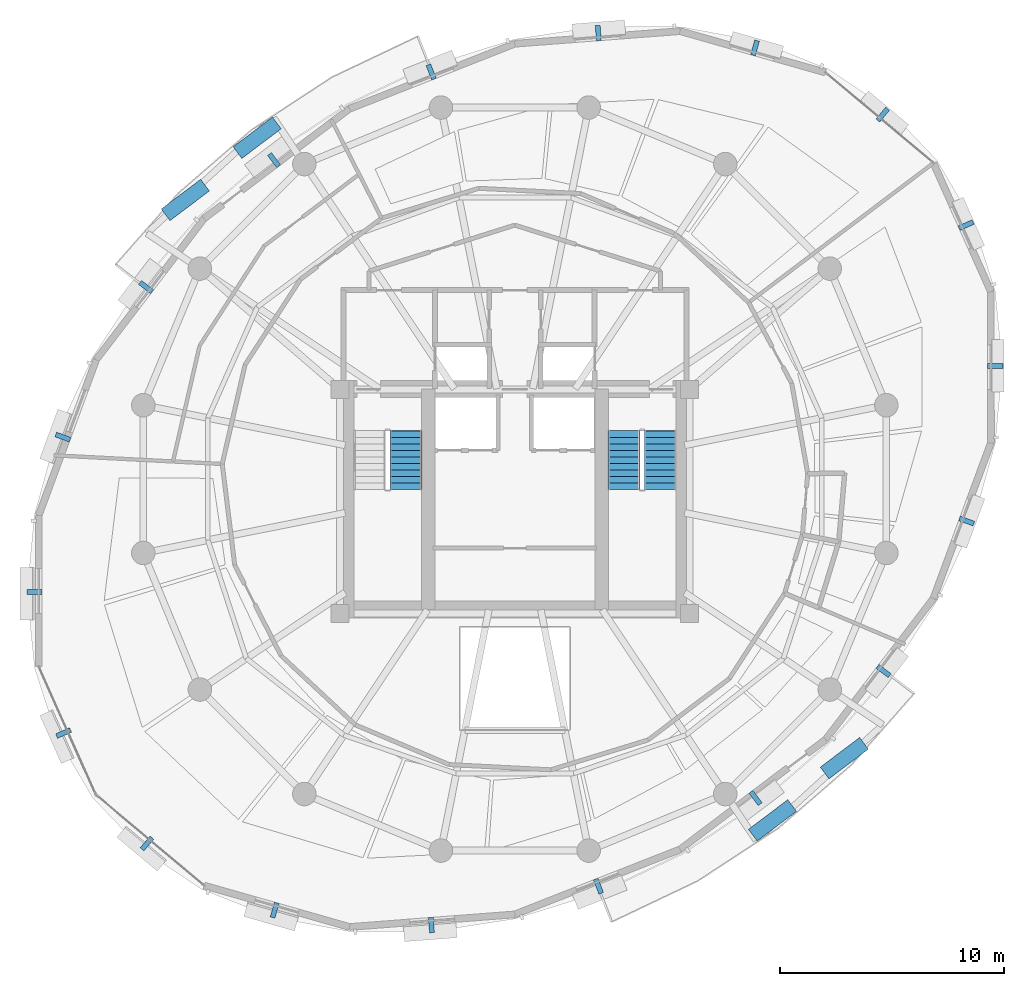
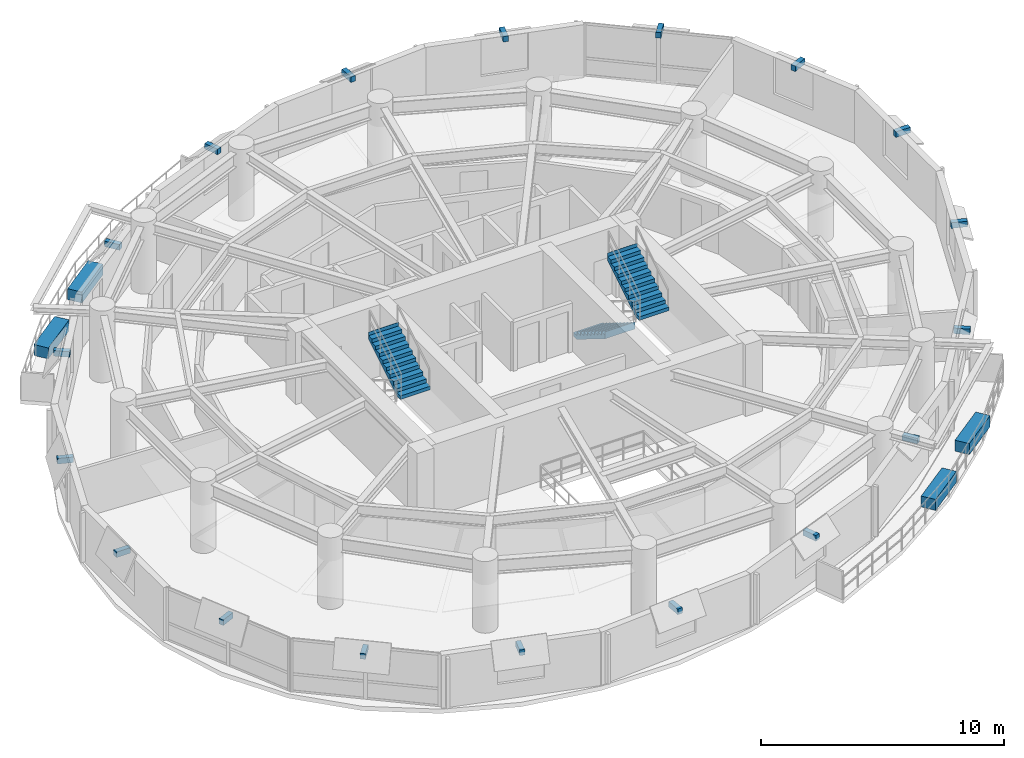
# One storey, part 10 of 12: 22 discrete accessories, 3 stair flights, 2 elements without a shape of their own.
"""IFC4 building model written with IfcOpenShell, lengths in metres."""

from ifc_helpers import new_model, si_unit, direction, frame, origin, origin_2d, place, context, subcontext, project, spatial, polyline, rectangle, outline, extrude, material, type_object, element, aggregate, save


model = new_model("IFC4")

# Units and contexts
model_context = context("Model", 3, precision=1e-05, world=origin(), true_north=direction((0.0, 1.0)))
body_context = subcontext(model_context, "Body", "Model", "MODEL_VIEW")
ifc_project = project(units=[si_unit("LENGTHUNIT", "METRE"), si_unit("AREAUNIT", "SQUARE_METRE"), si_unit("VOLUMEUNIT", "CUBIC_METRE"), si_unit("PLANEANGLEUNIT", "RADIAN"), si_unit("MASSUNIT", "GRAM", prefix="KILO"), si_unit("THERMODYNAMICTEMPERATUREUNIT", "KELVIN"), si_unit("POWERUNIT", "WATT")], contexts=[model_context])

# Site, building, storey
site_placement = place(None, origin())
site = spatial("IfcSite", under=ifc_project, at=site_placement, CompositionType="ELEMENT")
building_placement = place(site_placement, origin())
building = spatial("IfcBuilding", under=site, at=building_placement, Name="Ocrelia Relay Tower", CompositionType="ELEMENT")
storey_placement = place(building_placement, frame((0.0, 0.0, 188.0)))
storey = spatial("IfcBuildingStorey", under=building, at=storey_placement, Name="L45", CompositionType="ELEMENT", Elevation=188.0)

# Stair, stair flight
ifc_material_1 = material(Name="Concrete C50/60", Category="concrete")
stair_type = type_object("IfcStairType", Name="ST-DL-1420-R180", PredefinedType="HALF_TURN_STAIR", material=ifc_material_1)
stair_1_placement = place(storey_placement, origin())
stair_1 = element("IfcStair", 1, at=stair_1_placement, inside=storey, type_object=stair_type, Name="L45 West Core Exit Stair ST1", PredefinedType="HALF_TURN_STAIR")
stair_flight_type = type_object("IfcStairFlightType", Name="STF-DL-1420-R180", PredefinedType="STRAIGHT", material=ifc_material_1)
stair_flight_1_placement = place(storey_placement, frame((29.139892578125, 25.5400390625, 1.800048828125), z_axis=(0.0, 0.0, 1.0), x_axis=(0.0, 1.0, 0.0)))
stair_flight_1 = element("IfcStairFlight", 2, at=stair_flight_1_placement, type_object=stair_flight_type, Name="ST1 flight 2", NumberOfRisers=10, NumberOfTreads=9, PredefinedType="STRAIGHT", RiserHeight=0.18, TreadLength=0.29, context=body_context, shape_type="SweptSolid", body=[
    extrude(outline(polyline([(-0.008056640625, 0.0), (-0.008056640625, 0.179931640625), (0.0, 0.179931640625), (0.2900390625, 0.179931640625), (0.2900390625, 0.360107421875), (0.580078125, 0.360107421875), (0.580078125, 0.5400390625), (0.8701171875, 0.5400390625), (0.8701171875, 0.719970703125), (1.159912109375, 0.719970703125), (1.159912109375, 0.89990234375), (1.449951171875, 0.89990234375), (1.449951171875, 1.080078125), (1.739990234375, 1.080078125), (1.739990234375, 1.260009765625), (2.030029296875, 1.260009765625), (2.030029296875, 1.43994140625), (2.320068359375, 1.43994140625), (2.320068359375, 1.6201171875), (2.610107421875, 1.6201171875), (2.610107421875, 1.800048828125), (2.617919921875, 1.800048828125), (2.617919921875, 1.443603515625), (0.2841796875, 0.0), (-0.008056640625, 0.0)])), frame((0.0, 0.7099609375, 0.0), z_axis=(0.0, -1.0, 0.0), x_axis=(1.0, 0.0, 0.0)), (0.0, 0.0, 1.0), 1.419921875),
])
aggregate(stair_1, [stair_flight_1])

# Stair, stair flights
stair_2_placement = place(storey_placement, origin())
stair_2 = element("IfcStair", 3, at=stair_2_placement, inside=storey, type_object=stair_type, Name="L45 East Core Exit Stair ST2", PredefinedType="HALF_TURN_STAIR")
stair_flight_2_placement = place(storey_placement, frame((38.8701171875, 28.14990234375, 0.0), z_axis=(0.0, 0.0, 1.0), x_axis=(0.0, -1.0, 0.0)))
stair_flight_2 = element("IfcStairFlight", 4, at=stair_flight_2_placement, type_object=stair_flight_type, Name="ST2 flight 1", NumberOfRisers=10, NumberOfTreads=9, PredefinedType="STRAIGHT", RiserHeight=0.18, TreadLength=0.29, context=body_context, shape_type="SweptSolid", body=[
    extrude(outline(polyline([(-0.008056640625, 0.0), (-0.008056640625, 0.179931640625), (0.0, 0.179931640625), (0.2900390625, 0.179931640625), (0.2900390625, 0.360107421875), (0.580078125, 0.360107421875), (0.580078125, 0.5400390625), (0.8701171875, 0.5400390625), (0.8701171875, 0.719970703125), (1.159912109375, 0.719970703125), (1.159912109375, 0.89990234375), (1.449951171875, 0.89990234375), (1.449951171875, 1.080078125), (1.739990234375, 1.080078125), (1.739990234375, 1.260009765625), (2.030029296875, 1.260009765625), (2.030029296875, 1.43994140625), (2.320068359375, 1.43994140625), (2.320068359375, 1.6201171875), (2.610107421875, 1.6201171875), (2.610107421875, 1.800048828125), (2.617919921875, 1.800048828125), (2.617919921875, 1.443603515625), (0.2841796875, 0.0), (-0.008056640625, 0.0)])), frame((0.0, 0.7099609375, 0.0), z_axis=(0.0, -1.0, 0.0), x_axis=(1.0, 0.0, 0.0)), (0.0, 0.0, 1.0), 1.419921875),
])
stair_flight_3_placement = place(storey_placement, frame((40.489990234375, 25.5400390625, 1.800048828125), z_axis=(0.0, 0.0, 1.0), x_axis=(0.0, 1.0, 0.0)))
stair_flight_3 = element("IfcStairFlight", 5, at=stair_flight_3_placement, type_object=stair_flight_type, Name="ST2 flight 2", NumberOfRisers=10, NumberOfTreads=9, PredefinedType="STRAIGHT", RiserHeight=0.18, TreadLength=0.29, context=body_context, shape_type="SweptSolid", body=[
    extrude(outline(polyline([(-0.008056640625, 0.0), (-0.008056640625, 0.179931640625), (0.0, 0.179931640625), (0.2900390625, 0.179931640625), (0.2900390625, 0.360107421875), (0.580078125, 0.360107421875), (0.580078125, 0.5400390625), (0.8701171875, 0.5400390625), (0.8701171875, 0.719970703125), (1.159912109375, 0.719970703125), (1.159912109375, 0.89990234375), (1.449951171875, 0.89990234375), (1.449951171875, 1.080078125), (1.739990234375, 1.080078125), (1.739990234375, 1.260009765625), (2.030029296875, 1.260009765625), (2.030029296875, 1.43994140625), (2.320068359375, 1.43994140625), (2.320068359375, 1.6201171875), (2.610107421875, 1.6201171875), (2.610107421875, 1.800048828125), (2.617919921875, 1.800048828125), (2.617919921875, 1.443603515625), (0.2841796875, 0.0), (-0.008056640625, 0.0)])), frame((0.0, 0.7099609375, 0.0), z_axis=(0.0, -1.0, 0.0), x_axis=(1.0, 0.0, 0.0)), (0.0, 0.0, 1.0), 1.419921875),
])
aggregate(stair_2, [stair_flight_2, stair_flight_3])

# Discrete accessories
ifc_material_2 = material(Name="Precast concrete C40/50 planter with highland greenery", Category="concrete")
discrete_accessory_type_1 = type_object("IfcDiscreteAccessoryType", Name="ACC-BALC-PLANTER", PredefinedType="USERDEFINED", material=ifc_material_2)
for number, where, z_axis, x_axis, name in (
    (6, (22.505615234375, 41.225830078125, 0.0), (0.0, 0.0, 1.0), (0.798109089098, 0.602512972391, 0.0), "L45 Balcony Terracotta Planter with Greenery B1"),
    (7, (19.301025390625, 38.450927734375, 0.0), (0.0, 0.0, 1.0), (0.798109089098, 0.602512972391, 0.0), "L45 Balcony Terracotta Planter B1-2"),
    (8, (45.494384765625, 10.774169921875, 0.0), (0.0, 0.0, 1.0), (-0.798109089098, -0.602512972391, 0.0), "L45 Balcony Terracotta Planter with Greenery B2"),
    (9, (48.698974609375, 13.549072265625, 0.0), (0.0, 0.0, 1.0), (-0.798109089098, -0.602512972391, 0.0), "L45 Balcony Terracotta Planter B2-2"),
):
    element("IfcDiscreteAccessory", number, at=place(storey_placement, frame(where, z_axis=z_axis, x_axis=x_axis)), inside=storey, type_object=discrete_accessory_type_1, Name=name, ObjectType="PLANTER", PredefinedType="USERDEFINED", context=body_context, shape_type="SweptSolid", body=[
        extrude(rectangle(XDim=2.199951171875, YDim=0.64990234375, at=origin_2d()), origin(), (0.0, 0.0, 1.0), 0.550048828125),
    ])
ifc_material_3 = material(Name="Steel S355", Category="steel")
discrete_accessory_type_2 = type_object("IfcDiscreteAccessoryType", Name="ACC-VISOR-BRACKET", PredefinedType="BRACKET", material=ifc_material_3)
for number, where, z_axis, x_axis, name in (
    (10, (50.410400390625, 42.257568359375, 2.35986328125), (0.0, 0.0, 1.0), (-0.766386416284, 0.642379841632, 0.0), "L45 Visor Mounting Bracket 01"),
    (11, (44.714599609375, 45.233642578125, 2.35986328125), (0.0, 0.0, 1.0), (-0.961710584417, 0.274067057161, 0.0), "L45 Visor Mounting Bracket 02"),
    (12, (37.72265625, 45.89892578125, 2.35986328125), (0.0, 0.0, 1.0), (-0.997113113744, -0.075930483991, 0.0), "L45 Visor Mounting Bracket 03"),
    (13, (30.26953125, 44.165283203125, 2.35986328125), (0.0, 0.0, 1.0), (-0.930471083257, -0.366365341186, 0.0), "L45 Visor Mounting Bracket 04"),
    (14, (23.25830078125, 40.228759765625, 2.35986328125), (0.0, 0.0, 1.0), (-0.798105974055, -0.60251709866, 0.0), "L45 Visor Mounting Bracket 05"),
    (15, (17.551513671875, 34.564208984375, 2.35986328125), (0.0, 0.0, 1.0), (-0.607259515871, -0.794503543343, 0.0), "L45 Visor Mounting Bracket 06"),
    (16, (13.842529296875, 27.87109375, 2.35986328125), (0.0, 0.0, 1.0), (-0.346195816944, -0.938162276118, 0.0), "L45 Visor Mounting Bracket 07"),
    (17, (12.56689453125, 20.96435546875, 2.35986328125), (0.0, 0.0, 1.0), (0.00010377904, -0.999999994615, 0.0), "L45 Visor Mounting Bracket 08"),
    (18, (13.86865234375, 14.67138671875, 2.35986328125), (0.0, 0.0, 1.0), (0.407850854361, -0.913048564205, 0.0), "L45 Visor Mounting Bracket 09"),
    (19, (17.589599609375, 9.742431640625, 2.35986328125), (0.0, 0.0, 1.0), (0.766386416284, -0.642379841632, 0.0), "L45 Visor Mounting Bracket 10"),
    (20, (23.285400390625, 6.766357421875, 2.35986328125), (0.0, 0.0, 1.0), (0.961710584417, -0.274067057161, 0.0), "L45 Visor Mounting Bracket 11"),
    (21, (30.27734375, 6.10107421875, 2.35986328125), (0.0, 0.0, 1.0), (0.997113113744, 0.075930483991, 0.0), "L45 Visor Mounting Bracket 12"),
    (22, (37.73046875, 7.834716796875, 2.35986328125), (0.0, 0.0, 1.0), (0.930471083257, 0.366365341186, 0.0), "L45 Visor Mounting Bracket 13"),
    (23, (44.74169921875, 11.771240234375, 2.35986328125), (0.0, 0.0, 1.0), (0.798105974055, 0.60251709866, 0.0), "L45 Visor Mounting Bracket 14"),
    (24, (50.448486328125, 17.435791015625, 2.35986328125), (0.0, 0.0, 1.0), (0.607259515871, 0.794503543343, 0.0), "L45 Visor Mounting Bracket 15"),
    (25, (54.157470703125, 24.12890625, 2.35986328125), (0.0, 0.0, 1.0), (0.346195816944, 0.938162276118, 0.0), "L45 Visor Mounting Bracket 16"),
    (26, (55.43310546875, 31.03564453125, 2.35986328125), (0.0, 0.0, 1.0), (-0.00010377904, 0.999999994615, 0.0), "L45 Visor Mounting Bracket 17"),
    (27, (54.13134765625, 37.32861328125, 2.35986328125), (0.0, 0.0, 1.0), (-0.407850854361, 0.913048564205, 0.0), "L45 Visor Mounting Bracket 18"),
):
    element("IfcDiscreteAccessory", number, at=place(storey_placement, frame(where, z_axis=z_axis, x_axis=x_axis)), inside=storey, type_object=discrete_accessory_type_2, Name=name, PredefinedType="BRACKET", context=body_context, shape_type="SweptSolid", body=[
        extrude(rectangle(XDim=0.219970703125, YDim=0.679931640625, at=origin_2d()), origin(), (0.0, 0.0, 1.0), 0.280029296875),
    ])

save(model, "model.ifc")
